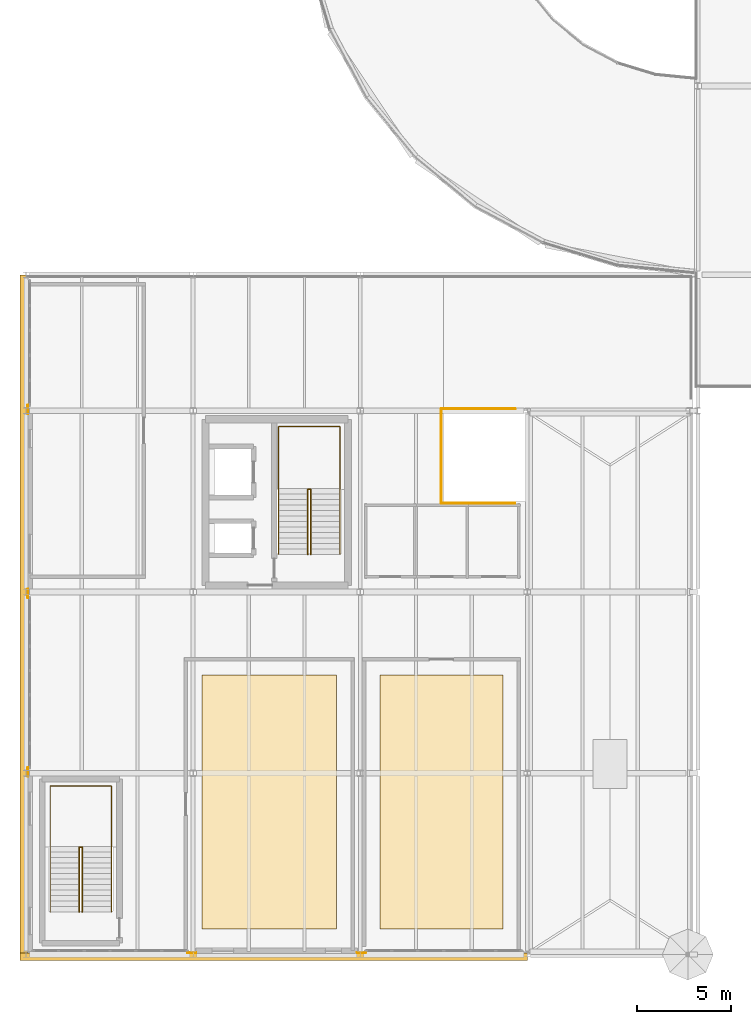
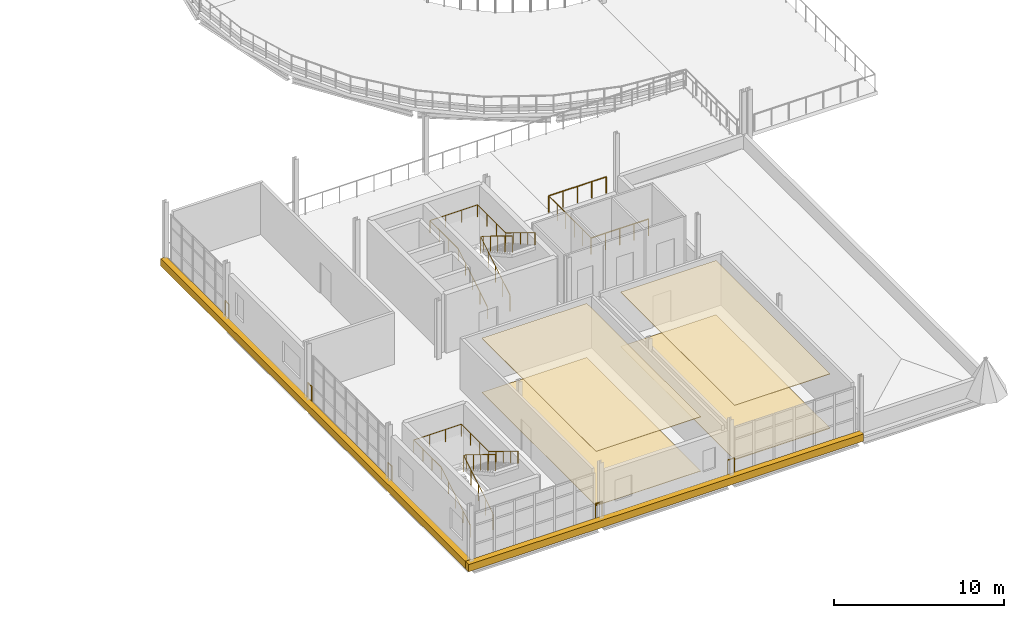
# One storey, part 51 of 58: 12 railings, 6 coverings.
"""IFC4 building model written with IfcOpenShell, lengths in metres."""

from ifc_helpers import new_model, si_unit, direction, frame, origin, origin_2d, place, context, subcontext, project, spatial, polyline, circle, outline, extrude, material, layer, layer_set, type_object, element, save


model = new_model("IFC4")

# Units and contexts
model_context = context("Model", 3, precision=1e-05, world=origin(), true_north=direction((0.0, 1.0)))
body_context = subcontext(model_context, "Body", "Model", "MODEL_VIEW")
ifc_project = project(units=[si_unit("LENGTHUNIT", "METRE"), si_unit("AREAUNIT", "SQUARE_METRE"), si_unit("VOLUMEUNIT", "CUBIC_METRE"), si_unit("PLANEANGLEUNIT", "RADIAN"), si_unit("MASSUNIT", "GRAM", prefix="KILO")], contexts=[model_context])

# Site, building, storey
site_placement = place(None, origin())
site = spatial("IfcSite", under=ifc_project, at=site_placement, CompositionType="ELEMENT")
building_placement = place(site_placement, origin())
building = spatial("IfcBuilding", under=site, at=building_placement, Name="Yeouljin Market Hall", CompositionType="ELEMENT")
storey_placement = place(building_placement, frame((0.0, 0.0, 10.800048828125)))
storey = spatial("IfcBuildingStorey", under=building, at=storey_placement, Name="L02", CompositionType="ELEMENT", Elevation=10.800048828125)

# Coverings
ifc_material_1 = material(Name="Clinker Brick Masonry F2-S2", Category="masonry")
ifc_layer_1 = layer(ifc_material_1, 0.360107421875)
ifc_layer_set_1 = layer_set([ifc_layer_1], Name="Clinker Brick Masonry F2-S2")
covering_type_1 = type_object("IfcCoveringType", Name="Covering_Clinker_SpandrelHood", PredefinedType="CLADDING", material=ifc_layer_set_1)
covering_1_placement = place(storey_placement, frame((0.0, 0.0, -0.35009765625)))
element("IfcCovering", 1, at=covering_1_placement, inside=storey, type_object=covering_type_1, Name="Corbelled brick spandrel hood SW-05", PredefinedType="CLADDING", context=body_context, shape_type="SweptSolid", body=[
    extrude(outline(polyline([(-0.320068359375, -0.320068359375), (26.550048828125, -0.320068359375), (26.550048828125, 0.080078125), (-0.320068359375, 0.080078125), (-0.320068359375, -0.320068359375)])), origin(), (0.0, 0.0, 1.0), 0.52001953125),
])
covering_2_placement = place(storey_placement, frame((0.0, 0.0, -0.35009765625)))
element("IfcCovering", 2, at=covering_2_placement, inside=storey, type_object=covering_type_1, Name="Corbelled brick spandrel hood WW-07", PredefinedType="CLADDING", context=body_context, shape_type="SweptSolid", body=[
    extrude(outline(polyline([(-0.320068359375, 0.0), (0.080078125, 0.0), (0.080078125, 36.0), (-0.320068359375, 36.0), (-0.320068359375, 0.0)])), origin(), (0.0, 0.0, 1.0), 0.52001953125),
])
ifc_material_2 = material(Name="Polished Mineral Terrazzo Flooring")
ifc_layer_2 = layer(ifc_material_2, 0.030029296875)
ifc_layer_set_2 = layer_set([ifc_layer_2], Name="Polished Mineral Terrazzo Flooring")
covering_type_2 = type_object("IfcCoveringType", Name="Covering_Terrazzo_Flooring", PredefinedType="FLOORING", material=ifc_layer_set_2)
covering_3_placement = place(storey_placement, origin())
element("IfcCovering", 3, at=covering_3_placement, inside=storey, type_object=covering_type_2, Name="Polished terrazzo floor finish L02-06", PredefinedType="FLOORING", context=body_context, shape_type="SweptSolid", body=[
    extrude(outline(polyline([(16.449951171875, 1.35009765625), (16.449951171875, 14.800048828125), (9.31005859375, 14.800048828125), (9.31005859375, 1.35009765625), (16.449951171875, 1.35009765625)])), origin(), (0.0, 0.0, 1.0), 0.030029296875),
])
covering_4_placement = place(storey_placement, origin())
element("IfcCovering", 4, at=covering_4_placement, inside=storey, type_object=covering_type_2, Name="Polished terrazzo floor finish L02-07", PredefinedType="FLOORING", context=body_context, shape_type="SweptSolid", body=[
    extrude(outline(polyline([(25.25, 1.35009765625), (25.25, 14.800048828125), (18.75, 14.800048828125), (18.75, 1.35009765625), (25.25, 1.35009765625)])), origin(), (0.0, 0.0, 1.0), 0.030029296875),
])
ifc_material_3 = material(Name="Perforated Larch Acoustic Ceiling Baffle")
ifc_layer_3 = layer(ifc_material_3, 0.0400390625)
ifc_layer_set_3 = layer_set([ifc_layer_3], Name="Perforated Larch Acoustic Ceiling Baffle")
covering_type_3 = type_object("IfcCoveringType", Name="Covering_TimberAcoustic_Ceiling", PredefinedType="CEILING", material=ifc_layer_set_3)
covering_5_placement = place(storey_placement, frame((0.0, 0.0, 3.89501953125)))
element("IfcCovering", 5, at=covering_5_placement, inside=storey, type_object=covering_type_3, Name="Acoustic larch baffle ceiling L02-06", PredefinedType="CEILING", context=body_context, shape_type="SweptSolid", body=[
    extrude(outline(polyline([(16.449951171875, 1.35009765625), (16.449951171875, 14.800048828125), (9.31005859375, 14.800048828125), (9.31005859375, 1.35009765625), (16.449951171875, 1.35009765625)])), origin(), (0.0, 0.0, 1.0), 0.0400390625),
])
covering_6_placement = place(storey_placement, frame((0.0, 0.0, 3.905029296875)))
element("IfcCovering", 6, at=covering_6_placement, inside=storey, type_object=covering_type_3, Name="Acoustic larch baffle ceiling L02-07", PredefinedType="CEILING", context=body_context, shape_type="SweptSolid", body=[
    extrude(outline(polyline([(25.25, 1.35009765625), (25.25, 14.800048828125), (18.75, 14.800048828125), (18.75, 1.35009765625), (25.25, 1.35009765625)])), origin(), (0.0, 0.0, 1.0), 0.0400390625),
])

# Railings
ifc_material_4 = material(Name="Wrought Iron and Bronze Gallery Balustrade")
railing_type_1 = type_object("IfcRailingType", Name="Railing_AtriumBalustrade_1200", PredefinedType="BALUSTRADE", material=ifc_material_4)
for number, where, name in (
    (7, (18.0, 0.10009765625, 0.0), "Gallery & deck edge balustrade L02-259"),
    (8, (9.006103515625, 0.10009765625, 0.0), "Gallery & deck edge balustrade L02-260"),
):
    element("IfcRailing", number, at=place(storey_placement, frame(where)), inside=storey, type_object=railing_type_1, Name=name, PredefinedType="BALUSTRADE", context=body_context, shape_type="SweptSolid", body=[
        extrude(circle(Radius=0.02392578125, at=origin_2d()), frame((0.0, 0.0, 1.17578125), z_axis=(-1.0, 0.0, 0.0), x_axis=(0.0, -1.0, 0.0)), (0.0, 0.0, 1.0), 0.4560546875),
        extrude(circle(Radius=0.02099609375, at=origin_2d()), origin(), (0.0, 0.0, 1.0), 1.15185546875),
        extrude(circle(Radius=0.02099609375, at=origin_2d()), frame((-0.4560546875, 0.0, 0.0)), (0.0, 0.0, 1.0), 1.15185546875),
    ])
railing_1_placement = place(storey_placement, frame((0.10009765625, 9.44189453125, 0.0)))
element("IfcRailing", 9, at=railing_1_placement, inside=storey, type_object=railing_type_1, Name="Gallery & deck edge balustrade L02-261", PredefinedType="BALUSTRADE", context=body_context, shape_type="SweptSolid", body=[
    extrude(circle(Radius=0.02392578125, at=origin_2d()), frame((0.0, 0.0, 1.17578125), z_axis=(0.0, 1.0, 0.0), x_axis=(-1.0, 0.0, 0.0)), (0.0, 0.0, 1.0), 0.4580078125),
    extrude(circle(Radius=0.02099609375, at=origin_2d()), origin(), (0.0, 0.0, 1.0), 1.15185546875),
    extrude(circle(Radius=0.02099609375, at=origin_2d()), frame((0.0, 0.4580078125, 0.0)), (0.0, 0.0, 1.0), 1.15185546875),
])
for number, where, name in (
    (10, (0.10009765625, 18.89990234375, 0.0), "Gallery & deck edge balustrade L02-262"),
    (11, (0.10009765625, 28.64404296875, 0.0), "Gallery & deck edge balustrade L02-263"),
):
    element("IfcRailing", number, at=place(storey_placement, frame(where)), inside=storey, type_object=railing_type_1, Name=name, PredefinedType="BALUSTRADE", context=body_context, shape_type="SweptSolid", body=[
        extrude(circle(Radius=0.02392578125, at=origin_2d()), frame((0.0, 0.0, 1.17578125), z_axis=(0.0, 1.0, 0.0), x_axis=(-1.0, 0.0, 0.0)), (0.0, 0.0, 1.0), 0.4560546875),
        extrude(circle(Radius=0.02099609375, at=origin_2d()), origin(), (0.0, 0.0, 1.0), 1.15185546875),
        extrude(circle(Radius=0.02099609375, at=origin_2d()), frame((0.0, 0.4560546875, 0.0)), (0.0, 0.0, 1.0), 1.15185546875),
    ])
railing_2_placement = place(storey_placement, frame((25.908447265625, 28.89990234375, 0.0)))
element("IfcRailing", 12, at=railing_2_placement, inside=storey, type_object=railing_type_1, Name="Gallery & deck edge balustrade L02-266", PredefinedType="BALUSTRADE", context=body_context, shape_type="SweptSolid", body=[
    extrude(circle(Radius=0.02392578125, at=origin_2d()), frame((0.0, 0.0, 1.17578125), z_axis=(-1.0, 0.0, 0.0), x_axis=(0.0, -1.0, 0.0)), (0.0, 0.0, 1.0), 3.908447265625),
    extrude(circle(Radius=0.02099609375, at=origin_2d()), origin(), (0.0, 0.0, 1.0), 1.15185546875),
    extrude(circle(Radius=0.02099609375, at=origin_2d()), frame((-0.97705078125, 0.0, 0.0)), (0.0, 0.0, 1.0), 1.15185546875),
    extrude(circle(Radius=0.02099609375, at=origin_2d()), frame((-1.9541015625, 0.0, 0.0)), (0.0, 0.0, 1.0), 1.15185546875),
    extrude(circle(Radius=0.02099609375, at=origin_2d()), frame((-2.931396484375, 0.0, 0.0)), (0.0, 0.0, 1.0), 1.15185546875),
    extrude(circle(Radius=0.02099609375, at=origin_2d()), frame((-3.908447265625, 0.0, 0.0)), (0.0, 0.0, 1.0), 1.15185546875),
])
railing_3_placement = place(storey_placement, frame((22.0, 28.89990234375, 0.0)))
element("IfcRailing", 13, at=railing_3_placement, inside=storey, type_object=railing_type_1, Name="Gallery & deck edge balustrade L02-267", PredefinedType="BALUSTRADE", context=body_context, shape_type="SweptSolid", body=[
    extrude(circle(Radius=0.02392578125, at=origin_2d()), frame((0.0, 0.0, 1.17578125), z_axis=(0.0, -1.0, 0.0), x_axis=(1.0, 0.0, 0.0)), (0.0, 0.0, 1.0), 5.0),
    extrude(circle(Radius=0.02099609375, at=origin_2d()), origin(), (0.0, 0.0, 1.0), 1.15185546875),
    extrude(circle(Radius=0.02099609375, at=origin_2d()), frame((0.0, -1.0, 0.0)), (0.0, 0.0, 1.0), 1.15185546875),
    extrude(circle(Radius=0.02099609375, at=origin_2d()), frame((0.0, -2.0, 0.0)), (0.0, 0.0, 1.0), 1.15185546875),
    extrude(circle(Radius=0.02099609375, at=origin_2d()), frame((0.0, -3.0, 0.0)), (0.0, 0.0, 1.0), 1.15185546875),
    extrude(circle(Radius=0.02099609375, at=origin_2d()), frame((0.0, -4.0, 0.0)), (0.0, 0.0, 1.0), 1.15185546875),
    extrude(circle(Radius=0.02099609375, at=origin_2d()), frame((0.0, -5.0, 0.0)), (0.0, 0.0, 1.0), 1.15185546875),
])
railing_4_placement = place(storey_placement, frame((22.0, 23.89990234375, 0.0)))
element("IfcRailing", 14, at=railing_4_placement, inside=storey, type_object=railing_type_1, Name="Gallery & deck edge balustrade L02-268", PredefinedType="BALUSTRADE", context=body_context, shape_type="SweptSolid", body=[
    extrude(circle(Radius=0.02392578125, at=origin_2d()), frame((0.0, 0.0, 1.17578125), z_axis=(1.0, 0.0, 0.0), x_axis=(0.0, 1.0, 0.0)), (0.0, 0.0, 1.0), 3.89990234375),
    extrude(circle(Radius=0.02099609375, at=origin_2d()), origin(), (0.0, 0.0, 1.0), 1.15185546875),
    extrude(circle(Radius=0.02099609375, at=origin_2d()), frame((0.97509765625, 0.0, 0.0)), (0.0, 0.0, 1.0), 1.15185546875),
    extrude(circle(Radius=0.02099609375, at=origin_2d()), frame((1.949951171875, 0.0, 0.0)), (0.0, 0.0, 1.0), 1.15185546875),
    extrude(circle(Radius=0.02099609375, at=origin_2d()), frame((2.9248046875, 0.0, 0.0)), (0.0, 0.0, 1.0), 1.15185546875),
    extrude(circle(Radius=0.02099609375, at=origin_2d()), frame((3.89990234375, 0.0, 0.0)), (0.0, 0.0, 1.0), 1.15185546875),
])
ifc_material_5 = material(Name="Painted Steel Stair Guardrail", Category="steel")
railing_type_2 = type_object("IfcRailingType", Name="Railing_StairGuard_1200", PredefinedType="GUARDRAIL", material=ifc_material_5)
railing_5_placement = place(storey_placement, frame((14.919921875, 21.199951171875, 0.0)))
element("IfcRailing", 15, at=railing_5_placement, inside=storey, type_object=railing_type_2, Name="Stair ST-C1-L02 inner well guardrail", PredefinedType="GUARDRAIL", context=body_context, shape_type="SweptSolid", body=[
    extrude(circle(Radius=0.02392578125, at=origin_2d()), frame((0.0, 0.0, 1.17578125), z_axis=(0.0, 0.853539286737, 0.521028488661), x_axis=(-1.0, 0.0, 0.0)), (0.0, 0.0, 1.0), 4.0302734375),
    extrude(circle(Radius=0.02392578125, at=origin_2d()), frame((0.0, 3.43994140625, 3.27587890625), z_axis=(1.0, 0.0, 0.0), x_axis=(0.0, 1.0, 0.0)), (0.0, 0.0, 1.0), 0.16015625),
    extrude(circle(Radius=0.02392578125, at=origin_2d()), frame((0.16015625, 3.43994140625, 3.27587890625), z_axis=(0.0, -0.853512346452, 0.521072619175), x_axis=(1.0, 0.0, 0.0)), (0.0, 0.0, 1.0), 4.0302734375),
    extrude(circle(Radius=0.02099609375, at=origin_2d()), origin(), (0.0, 0.0, 1.0), 1.15185546875),
    extrude(circle(Radius=0.02099609375, at=origin_2d()), frame((0.0, 0.85986328125, 0.52490234375)), (0.0, 0.0, 1.0), 1.15185546875),
    extrude(circle(Radius=0.02099609375, at=origin_2d()), frame((0.0, 1.719970703125, 1.0498046875)), (0.0, 0.0, 1.0), 1.15185546875),
    extrude(circle(Radius=0.02099609375, at=origin_2d()), frame((0.0, 2.580078125, 1.574951171875)), (0.0, 0.0, 1.0), 1.15185546875),
    extrude(circle(Radius=0.02099609375, at=origin_2d()), frame((0.0, 3.43994140625, 2.099853515625)), (0.0, 0.0, 1.0), 1.15185546875),
    extrude(circle(Radius=0.02099609375, at=origin_2d()), frame((0.16015625, 3.43994140625, 2.099853515625)), (0.0, 0.0, 1.0), 1.15185546875),
    extrude(circle(Radius=0.02099609375, at=origin_2d()), frame((0.16015625, 2.580078125, 2.625)), (0.0, 0.0, 1.0), 1.15185546875),
    extrude(circle(Radius=0.02099609375, at=origin_2d()), frame((0.16015625, 1.719970703125, 3.14990234375)), (0.0, 0.0, 1.0), 1.15185546875),
    extrude(circle(Radius=0.02099609375, at=origin_2d()), frame((0.16015625, 0.85986328125, 3.6748046875)), (0.0, 0.0, 1.0), 1.15185546875),
    extrude(circle(Radius=0.02099609375, at=origin_2d()), frame((0.16015625, 0.0, 4.199951171875)), (0.0, 0.0, 1.0), 1.15185546875),
])
railing_6_placement = place(storey_placement, frame((2.820068359375, 2.25, 0.0)))
element("IfcRailing", 16, at=railing_6_placement, inside=storey, type_object=railing_type_2, Name="Stair ST-S7-L02 inner well guardrail", PredefinedType="GUARDRAIL", context=body_context, shape_type="SweptSolid", body=[
    extrude(circle(Radius=0.02392578125, at=origin_2d()), frame((0.0, 0.0, 1.17578125), z_axis=(0.0, 0.853539286737, 0.521028488661), x_axis=(-1.0, 0.0, 0.0)), (0.0, 0.0, 1.0), 4.0302734375),
    extrude(circle(Radius=0.02392578125, at=origin_2d()), frame((0.0, 3.43994140625, 3.27587890625), z_axis=(1.0, 0.0, 0.0), x_axis=(0.0, 1.0, 0.0)), (0.0, 0.0, 1.0), 0.159912109375),
    extrude(circle(Radius=0.02392578125, at=origin_2d()), frame((0.159912109375, 3.43994140625, 3.27587890625), z_axis=(0.0, -0.853512346452, 0.521072619175), x_axis=(1.0, 0.0, 0.0)), (0.0, 0.0, 1.0), 4.0302734375),
    extrude(circle(Radius=0.02099609375, at=origin_2d()), origin(), (0.0, 0.0, 1.0), 1.15185546875),
    extrude(circle(Radius=0.02099609375, at=origin_2d()), frame((0.0, 0.85986328125, 0.52490234375)), (0.0, 0.0, 1.0), 1.15185546875),
    extrude(circle(Radius=0.02099609375, at=origin_2d()), frame((0.0, 1.719970703125, 1.0498046875)), (0.0, 0.0, 1.0), 1.15185546875),
    extrude(circle(Radius=0.02099609375, at=origin_2d()), frame((0.0, 2.580078125, 1.574951171875)), (0.0, 0.0, 1.0), 1.15185546875),
    extrude(circle(Radius=0.02099609375, at=origin_2d()), frame((0.0, 3.43994140625, 2.099853515625)), (0.0, 0.0, 1.0), 1.15185546875),
    extrude(circle(Radius=0.02099609375, at=origin_2d()), frame((0.159912109375, 3.43994140625, 2.099853515625)), (0.0, 0.0, 1.0), 1.15185546875),
    extrude(circle(Radius=0.02099609375, at=origin_2d()), frame((0.159912109375, 2.580078125, 2.625)), (0.0, 0.0, 1.0), 1.15185546875),
    extrude(circle(Radius=0.02099609375, at=origin_2d()), frame((0.159912109375, 1.719970703125, 3.14990234375)), (0.0, 0.0, 1.0), 1.15185546875),
    extrude(circle(Radius=0.02099609375, at=origin_2d()), frame((0.159912109375, 0.85986328125, 3.6748046875)), (0.0, 0.0, 1.0), 1.15185546875),
    extrude(circle(Radius=0.02099609375, at=origin_2d()), frame((0.159912109375, 0.0, 4.199951171875)), (0.0, 0.0, 1.0), 1.15185546875),
])
ifc_material_6 = material(Name="Brushed Stainless Steel", Category="steel")
railing_type_3 = type_object("IfcRailingType", Name="Railing_StairHandrail_900", PredefinedType="HANDRAIL", material=ifc_material_6)
railing_7_placement = place(storey_placement, frame((13.3798828125, 21.199951171875, 0.0)))
element("IfcRailing", 17, at=railing_7_placement, inside=storey, type_object=railing_type_3, Name="Stair ST-C1-L02 wall handrail", PredefinedType="HANDRAIL", context=body_context, shape_type="SweptSolid", body=[
    extrude(circle(Radius=0.02392578125, at=origin_2d()), frame((0.0, 0.0, 0.8759765625), z_axis=(0.0, 0.853539286737, 0.521028488661), x_axis=(-1.0, 0.0, 0.0)), (0.0, 0.0, 1.0), 4.0302734375),
    extrude(circle(Radius=0.02392578125, at=origin_2d()), frame((0.0, 3.43994140625, 2.9755859375), z_axis=(0.0, 1.0, 0.0), x_axis=(-1.0, 0.0, 0.0)), (0.0, 0.0, 1.0), 3.330078125),
    extrude(circle(Radius=0.02392578125, at=origin_2d()), frame((0.0, 6.77001953125, 2.9755859375), z_axis=(1.0, 0.0, 0.0), x_axis=(0.0, 1.0, 0.0)), (0.0, 0.0, 1.0), 3.240234375),
    extrude(circle(Radius=0.02392578125, at=origin_2d()), frame((3.240234375, 6.77001953125, 2.9755859375), z_axis=(0.0, -1.0, 0.0), x_axis=(1.0, 0.0, 0.0)), (0.0, 0.0, 1.0), 3.330078125),
    extrude(circle(Radius=0.02392578125, at=origin_2d()), frame((3.240234375, 3.43994140625, 2.9755859375), z_axis=(0.0, -0.853512346452, 0.521072619175), x_axis=(1.0, 0.0, 0.0)), (0.0, 0.0, 1.0), 4.0302734375),
    extrude(circle(Radius=0.02099609375, at=origin_2d()), origin(), (0.0, 0.0, 1.0), 0.851806640625),
    extrude(circle(Radius=0.02099609375, at=origin_2d()), frame((0.0, 0.85986328125, 0.52490234375)), (0.0, 0.0, 1.0), 0.851806640625),
    extrude(circle(Radius=0.02099609375, at=origin_2d()), frame((0.0, 1.719970703125, 1.0498046875)), (0.0, 0.0, 1.0), 0.851806640625),
    extrude(circle(Radius=0.02099609375, at=origin_2d()), frame((0.0, 2.580078125, 1.574951171875)), (0.0, 0.0, 1.0), 0.851806640625),
    extrude(circle(Radius=0.02099609375, at=origin_2d()), frame((0.0, 3.43994140625, 2.099853515625)), (0.0, 0.0, 1.0), 0.851806640625),
    extrude(circle(Radius=0.02099609375, at=origin_2d()), frame((0.0, 4.550048828125, 2.099853515625)), (0.0, 0.0, 1.0), 0.851806640625),
    extrude(circle(Radius=0.02099609375, at=origin_2d()), frame((0.0, 5.659912109375, 2.099853515625)), (0.0, 0.0, 1.0), 0.851806640625),
    extrude(circle(Radius=0.02099609375, at=origin_2d()), frame((0.0, 6.77001953125, 2.099853515625)), (0.0, 0.0, 1.0), 0.851806640625),
    extrude(circle(Radius=0.02099609375, at=origin_2d()), frame((1.080078125, 6.77001953125, 2.099853515625)), (0.0, 0.0, 1.0), 0.851806640625),
    extrude(circle(Radius=0.02099609375, at=origin_2d()), frame((2.16015625, 6.77001953125, 2.099853515625)), (0.0, 0.0, 1.0), 0.851806640625),
    extrude(circle(Radius=0.02099609375, at=origin_2d()), frame((3.240234375, 6.77001953125, 2.099853515625)), (0.0, 0.0, 1.0), 0.851806640625),
    extrude(circle(Radius=0.02099609375, at=origin_2d()), frame((3.240234375, 5.659912109375, 2.099853515625)), (0.0, 0.0, 1.0), 0.851806640625),
    extrude(circle(Radius=0.02099609375, at=origin_2d()), frame((3.240234375, 4.550048828125, 2.099853515625)), (0.0, 0.0, 1.0), 0.851806640625),
    extrude(circle(Radius=0.02099609375, at=origin_2d()), frame((3.240234375, 3.43994140625, 2.099853515625)), (0.0, 0.0, 1.0), 0.851806640625),
    extrude(circle(Radius=0.02099609375, at=origin_2d()), frame((3.240234375, 2.580078125, 2.625)), (0.0, 0.0, 1.0), 0.851806640625),
    extrude(circle(Radius=0.02099609375, at=origin_2d()), frame((3.240234375, 1.719970703125, 3.14990234375)), (0.0, 0.0, 1.0), 0.851806640625),
    extrude(circle(Radius=0.02099609375, at=origin_2d()), frame((3.240234375, 0.85986328125, 3.6748046875)), (0.0, 0.0, 1.0), 0.851806640625),
    extrude(circle(Radius=0.02099609375, at=origin_2d()), frame((3.240234375, 0.0, 4.199951171875)), (0.0, 0.0, 1.0), 0.851806640625),
])
railing_8_placement = place(storey_placement, frame((1.280029296875, 2.25, 0.0)))
element("IfcRailing", 18, at=railing_8_placement, inside=storey, type_object=railing_type_3, Name="Stair ST-S7-L02 wall handrail", PredefinedType="HANDRAIL", context=body_context, shape_type="SweptSolid", body=[
    extrude(circle(Radius=0.02392578125, at=origin_2d()), frame((0.0, 0.0, 0.8759765625), z_axis=(0.0, 0.853539286737, 0.521028488661), x_axis=(-1.0, 0.0, 0.0)), (0.0, 0.0, 1.0), 4.0302734375),
    extrude(circle(Radius=0.02392578125, at=origin_2d()), frame((0.0, 3.43994140625, 2.9755859375), z_axis=(0.0, 1.0, 0.0), x_axis=(-1.0, 0.0, 0.0)), (0.0, 0.0, 1.0), 3.22998046875),
    extrude(circle(Radius=0.02392578125, at=origin_2d()), frame((0.0, 6.669921875, 2.9755859375), z_axis=(1.0, 0.0, 0.0), x_axis=(0.0, 1.0, 0.0)), (0.0, 0.0, 1.0), 3.239990234375),
    extrude(circle(Radius=0.02392578125, at=origin_2d()), frame((3.239990234375, 6.669921875, 2.9755859375), z_axis=(0.0, -1.0, 0.0), x_axis=(1.0, 0.0, 0.0)), (0.0, 0.0, 1.0), 3.22998046875),
    extrude(circle(Radius=0.02392578125, at=origin_2d()), frame((3.239990234375, 3.43994140625, 2.9755859375), z_axis=(0.0, -0.853512346452, 0.521072619175), x_axis=(1.0, 0.0, 0.0)), (0.0, 0.0, 1.0), 4.0302734375),
    extrude(circle(Radius=0.02099609375, at=origin_2d()), origin(), (0.0, 0.0, 1.0), 0.851806640625),
    extrude(circle(Radius=0.02099609375, at=origin_2d()), frame((0.0, 0.85986328125, 0.52490234375)), (0.0, 0.0, 1.0), 0.851806640625),
    extrude(circle(Radius=0.02099609375, at=origin_2d()), frame((0.0, 1.719970703125, 1.0498046875)), (0.0, 0.0, 1.0), 0.851806640625),
    extrude(circle(Radius=0.02099609375, at=origin_2d()), frame((0.0, 2.580078125, 1.574951171875)), (0.0, 0.0, 1.0), 0.851806640625),
    extrude(circle(Radius=0.02099609375, at=origin_2d()), frame((0.0, 3.43994140625, 2.099853515625)), (0.0, 0.0, 1.0), 0.851806640625),
    extrude(circle(Radius=0.02099609375, at=origin_2d()), frame((0.0, 4.5166015625, 2.099853515625)), (0.0, 0.0, 1.0), 0.851806640625),
    extrude(circle(Radius=0.02099609375, at=origin_2d()), frame((0.0, 5.59326171875, 2.099853515625)), (0.0, 0.0, 1.0), 0.851806640625),
    extrude(circle(Radius=0.02099609375, at=origin_2d()), frame((0.0, 6.669921875, 2.099853515625)), (0.0, 0.0, 1.0), 0.851806640625),
    extrude(circle(Radius=0.02099609375, at=origin_2d()), frame((1.080078125, 6.669921875, 2.099853515625)), (0.0, 0.0, 1.0), 0.851806640625),
    extrude(circle(Radius=0.02099609375, at=origin_2d()), frame((2.159912109375, 6.669921875, 2.099853515625)), (0.0, 0.0, 1.0), 0.851806640625),
    extrude(circle(Radius=0.02099609375, at=origin_2d()), frame((3.239990234375, 6.669921875, 2.099853515625)), (0.0, 0.0, 1.0), 0.851806640625),
    extrude(circle(Radius=0.02099609375, at=origin_2d()), frame((3.239990234375, 5.59326171875, 2.099853515625)), (0.0, 0.0, 1.0), 0.851806640625),
    extrude(circle(Radius=0.02099609375, at=origin_2d()), frame((3.239990234375, 4.5166015625, 2.099853515625)), (0.0, 0.0, 1.0), 0.851806640625),
    extrude(circle(Radius=0.02099609375, at=origin_2d()), frame((3.239990234375, 3.43994140625, 2.099853515625)), (0.0, 0.0, 1.0), 0.851806640625),
    extrude(circle(Radius=0.02099609375, at=origin_2d()), frame((3.239990234375, 2.580078125, 2.625)), (0.0, 0.0, 1.0), 0.851806640625),
    extrude(circle(Radius=0.02099609375, at=origin_2d()), frame((3.239990234375, 1.719970703125, 3.14990234375)), (0.0, 0.0, 1.0), 0.851806640625),
    extrude(circle(Radius=0.02099609375, at=origin_2d()), frame((3.239990234375, 0.85986328125, 3.6748046875)), (0.0, 0.0, 1.0), 0.851806640625),
    extrude(circle(Radius=0.02099609375, at=origin_2d()), frame((3.239990234375, 0.0, 4.199951171875)), (0.0, 0.0, 1.0), 0.851806640625),
])

save(model, "model.ifc")
